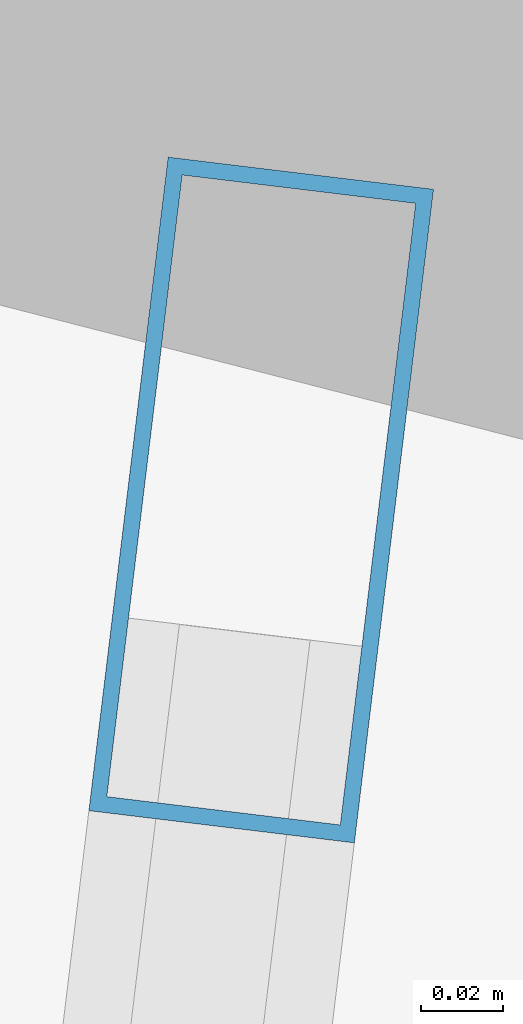
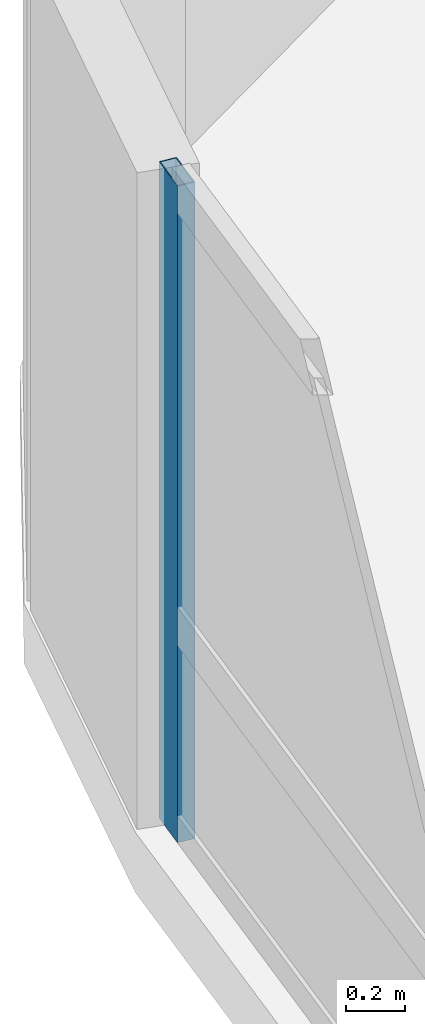
# One storey, part 12 of 25: 1 member, 1 element without a shape of its own.
"""IFC4 building model written with IfcOpenShell, lengths in metres."""

from ifc_helpers import new_model, si_unit, direction, frame, origin, origin_2d, place, context, subcontext, project, spatial, hollow_rectangle, extrude, material, layer, layer_set, material_profile, profile_set, type_object, element, aggregate, save


model = new_model("IFC4")

# Units and contexts
model_context = context("Model", 3, precision=1e-05, world=origin(), true_north=direction((0.0, 1.0)))
body_context = subcontext(model_context, "Body", "Model", "MODEL_VIEW")
ifc_project = project(units=[si_unit("LENGTHUNIT", "METRE"), si_unit("AREAUNIT", "SQUARE_METRE"), si_unit("VOLUMEUNIT", "CUBIC_METRE"), si_unit("PLANEANGLEUNIT", "RADIAN"), si_unit("MASSUNIT", "GRAM", prefix="KILO")], contexts=[model_context])

# Site, building, storey
site_placement = place(None, origin())
site = spatial("IfcSite", under=ifc_project, at=site_placement, CompositionType="ELEMENT")
building_placement = place(site_placement, origin())
building = spatial("IfcBuilding", under=site, at=building_placement, Name="Varnelok Gate Tower", CompositionType="ELEMENT")
storey_placement = place(building_placement, frame((0.0, 0.0, 136.5)))
storey = spatial("IfcBuildingStorey", under=building, at=storey_placement, Name="L34", CompositionType="ELEMENT", Elevation=136.5)

# Curtain wall, member
ifc_material = material(Name="Anodized Aluminum Alloy 6063-T6", Category="aluminium")
ifc_layer = layer(ifc_material, 0.179931640625)
ifc_layer_set = layer_set([ifc_layer], Name="Anodized Aluminum Alloy 6063-T6")
curtain_wall_type = type_object("IfcCurtainWallType", Name="CW3-HOTEL-VISION", PredefinedType="USERDEFINED", material=ifc_layer_set)
curtain_wall_placement = place(storey_placement, origin())
curtain_wall = element("IfcCurtainWall", 1, at=curtain_wall_placement, inside=storey, type_object=curtain_wall_type, Name="L34 West End Vision Curtain Wall", ObjectType="UNITISED CURTAIN WALL", PredefinedType="USERDEFINED")
ifc_material_profile = material_profile(ifc_material, hollow_rectangle(XDim=0.06494140625, YDim=0.159912109375, WallThickness=0.00390625, at=origin_2d()), Name="ALU160X65X4")
ifc_profile_set = profile_set([ifc_material_profile], Name="Anodized Aluminum Alloy 6063-T6")
member_type = type_object("IfcMemberType", Name="CW-MULL-160", PredefinedType="MULLION", material=ifc_profile_set)
member_placement = place(storey_placement, frame((4.57177734375, 47.596923828125, 0.0), z_axis=(0.0, 0.0, 1.0), x_axis=(-0.99273188146, 0.120347046212, 0.0)))
member = element("IfcMember", 2, at=member_placement, type_object=member_type, Name="CW3 mullion 6", PredefinedType="MULLION", context=body_context, shape_type="SweptSolid", body=[
    extrude(hollow_rectangle(XDim=0.06494140625, YDim=0.159912109375, WallThickness=0.00390625, at=origin_2d()), origin(), (0.0, 0.0, 1.0), 2.72998046875),
])
aggregate(curtain_wall, [member])

save(model, "model.ifc")
